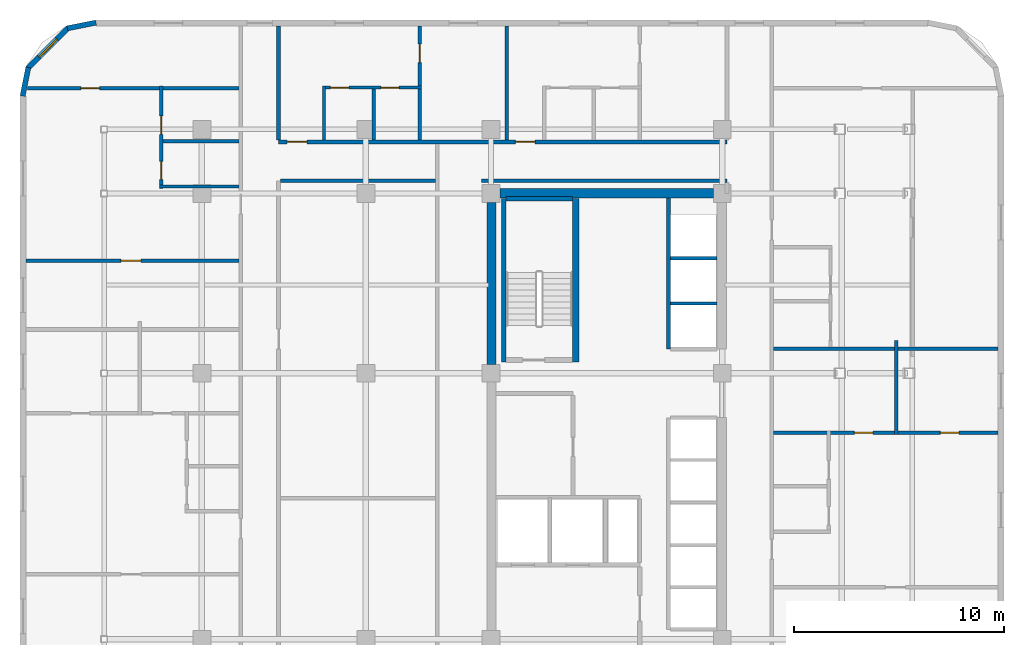
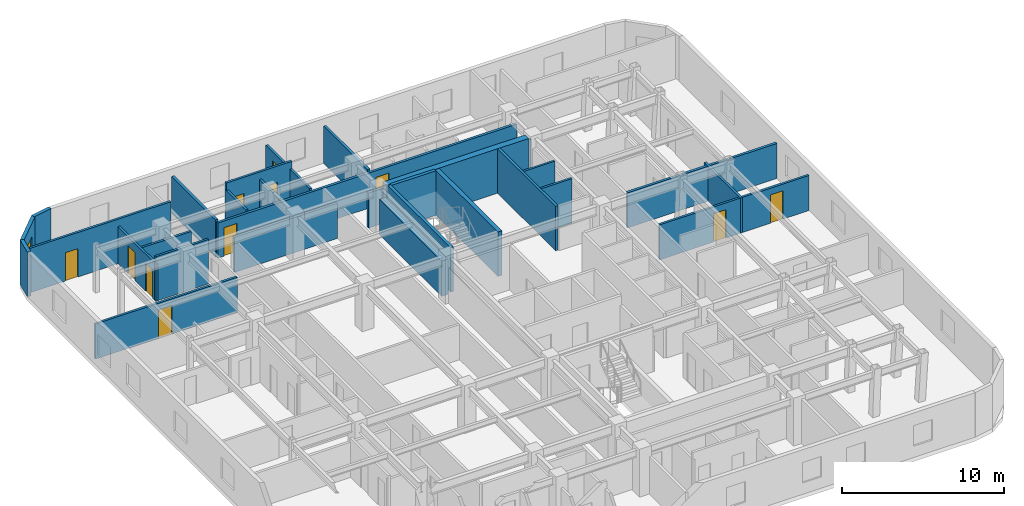
# One storey, part 9 of 12: 28 walls, 11 doors, 1 window, 12 openings.
"""IFC4 building model written with IfcOpenShell, lengths in metres."""

from ifc_helpers import new_model, si_unit, direction, frame, frame_2d, origin, place, context, subcontext, project, spatial, rectangle, extrude, material, layer, layer_set, type_object, element, fill, save


model = new_model("IFC4")

# Units and contexts
model_context = context("Model", 3, precision=1e-05, world=origin(), true_north=direction((0.0, 1.0)))
body_context = subcontext(model_context, "Body", "Model", "MODEL_VIEW")
ifc_project = project(units=[si_unit("LENGTHUNIT", "METRE"), si_unit("AREAUNIT", "SQUARE_METRE"), si_unit("VOLUMEUNIT", "CUBIC_METRE"), si_unit("PLANEANGLEUNIT", "RADIAN"), si_unit("MASSUNIT", "GRAM", prefix="KILO")], contexts=[model_context])

# Site, building, storey
site_placement = place(None, origin())
site = spatial("IfcSite", under=ifc_project, at=site_placement, CompositionType="ELEMENT")
building_placement = place(site_placement, origin())
building = spatial("IfcBuilding", under=site, at=building_placement, Name="Ochreholt Gables", CompositionType="ELEMENT")
storey_placement = place(building_placement, frame((0.0, 0.0, 24.0)))
storey = spatial("IfcBuildingStorey", under=building, at=storey_placement, Name="L05", CompositionType="ELEMENT", Elevation=24.0)

# Walls
ifc_material_1 = material(Name="Concrete 60 MPa", Category="concrete")
ifc_layer_1 = layer(ifc_material_1, 0.449951171875, Name="Concrete 60 MPa")
ifc_layer_set_1 = layer_set([ifc_layer_1], Name="Concrete 60 MPa")
wall_type_1 = type_object("IfcWallType", Name="WALL-CSW-450", PredefinedType="SHEAR", material=ifc_layer_set_1)
wall_1_placement = place(storey_placement, frame((24.22509765625, 30.625, 0.0), z_axis=(0.0, 0.0, 1.0), x_axis=(0.0, 1.0, 0.0)))
element("IfcWall", 1, at=wall_1_placement, inside=storey, type_object=wall_type_1, Name="L05 Core West Shear Wall WN", PredefinedType="SHEAR", context=body_context, shape_type="SweptSolid", body=[
    extrude(rectangle(XDim=7.699951171875, YDim=0.449951171875, at=frame_2d((3.85009765625, 0.0))), origin(), (0.0, 0.0, 1.0), 2.6669921875),
])
wall_2_placement = place(storey_placement, frame((24.625, 38.75, 0.0), z_axis=(0.0, 0.0, 1.0), x_axis=(1.0, 0.0, 0.0)))
element("IfcWall", 2, at=wall_2_placement, inside=storey, type_object=wall_type_1, Name="L05 Core North Shear Wall", PredefinedType="SHEAR", context=body_context, shape_type="SweptSolid", body=[
    extrude(rectangle(XDim=10.14990234375, YDim=0.449951171875, at=frame_2d((5.074951171875, 0.0))), origin(), (0.0, 0.0, 1.0), 3.360107421875),
])
ifc_material_2 = material(Name="Precast concrete 40 MPa", Category="concrete")
ifc_layer_2 = layer(ifc_material_2, 0.25, Name="Precast concrete 40 MPa")
ifc_layer_set_2 = layer_set([ifc_layer_2], Name="Precast concrete 40 MPa")
wall_type_2 = type_object("IfcWallType", Name="WALL-EXT-CNR", PredefinedType="SOLIDWALL", material=ifc_layer_set_2)
wall_3_placement = place(storey_placement, frame((5.41650390625, 46.875732421875, 0.0), z_axis=(0.0, 0.0, 1.0), x_axis=(-0.980809899341, -0.19496651342, 0.0)))
element("IfcWall", 3, at=wall_3_placement, inside=storey, type_object=wall_type_2, Name="L05 Rounded Corner Wall NW-1", PredefinedType="SOLIDWALL", context=body_context, shape_type="SweptSolid", body=[
    extrude(rectangle(XDim=1.388671875, YDim=0.25, at=frame_2d((0.6943359375, 0.0))), origin(), (0.0, 0.0, 1.0), 3.360107421875),
])

# Wall, opening, window
wall_4_placement = place(storey_placement, frame((4.10498046875, 46.632080078125, 0.0), z_axis=(0.0, 0.0, 1.0), x_axis=(-0.707106781187, -0.707106781187, 0.0)))
wall_4 = element("IfcWall", 4, at=wall_4_placement, inside=storey, type_object=wall_type_2, Name="L05 Rounded Corner Wall NW-2", PredefinedType="SOLIDWALL", context=body_context, shape_type="SweptSolid", body=[
    extrude(rectangle(XDim=2.7392578125, YDim=0.25, at=frame_2d((1.36962890625, 0.0))), origin(), (0.0, 0.0, 1.0), 3.360107421875),
])
opening_1_placement = place(wall_4_placement, frame((0.769775390625, 0.0, 0.85009765625)))
opening_1 = element("IfcOpeningElement", 5, at=opening_1_placement, cuts=wall_4, Name="Opening WN-3", PredefinedType="OPENING", context=body_context, shape_type="SweptSolid", body=[
    extrude(rectangle(XDim=1.199951171875, YDim=1.5, at=frame_2d((0.60009765625, 0.75))), frame((0.0, 0.135009765625, 0.0), z_axis=(0.0, -1.0, 0.0), x_axis=(1.0, 0.0, 0.0)), (0.0, 0.0, 1.0), 0.27001953125),
])
ifc_material_3 = material(Name="Triple-Glazed Thermally Broken Aluminium Window", Category="aluminium")
window_type = type_object("IfcWindowType", Name="WIN-RES-1200", PartitioningType="SINGLE_PANEL", PredefinedType="WINDOW", material=ifc_material_3)
window_placement = place(opening_1_placement, origin())
window = element("IfcWindow", 6, at=window_placement, inside=storey, type_object=window_type, Name="L05 Corner Bedroom Window NW", OverallHeight=1.5, OverallWidth=1.199951171875, PartitioningType="SINGLE_PANEL", PredefinedType="WINDOW", context=body_context, shape_type="SweptSolid", body=[
    extrude(rectangle(XDim=1.199951171875, YDim=1.5, at=frame_2d((0.60009765625, 0.75))), frame((0.0, 0.030029296875, 0.0), z_axis=(0.0, -1.0, 0.0), x_axis=(1.0, 0.0, 0.0)), (0.0, 0.0, 1.0), 0.06005859375),
])
fill(opening_1, window)

# Wall
wall_5_placement = place(storey_placement, frame((2.195068359375, 44.74560546875, 0.0), z_axis=(0.0, 0.0, 1.0), x_axis=(-0.19496651342, -0.980809899341, 0.0)))
element("IfcWall", 7, at=wall_5_placement, inside=storey, type_object=wall_type_2, Name="L05 Rounded Corner Wall NW-3", PredefinedType="SOLIDWALL", context=body_context, shape_type="SweptSolid", body=[
    extrude(rectangle(XDim=1.388671875, YDim=0.25, at=frame_2d((0.6943359375, 0.0))), origin(), (0.0, 0.0, 1.0), 3.360107421875),
])

# Wall, openings, doors
ifc_material_4 = material(Name="Fire-Rated Gypsum Acoustic Partition", Category="gypsum")
ifc_layer_3 = layer(ifc_material_4, 0.179931640625, Name="Fire-Rated Gypsum Acoustic Partition")
ifc_layer_set_3 = layer_set([ifc_layer_3], Name="Fire-Rated Gypsum Acoustic Partition")
wall_type_3 = type_object("IfcWallType", Name="WALL-INT-CR180", PredefinedType="STANDARD", material=ifc_layer_set_3)
wall_6_placement = place(storey_placement, frame((14.10009765625, 41.199951171875, 0.0), z_axis=(0.0, 0.0, 1.0), x_axis=(1.0, 0.0, 0.0)))
wall_6 = element("IfcWall", 8, at=wall_6_placement, inside=storey, type_object=wall_type_3, Name="L05 Interior Wall WI-C1N-L05", PredefinedType="STANDARD", context=body_context, shape_type="SweptSolid", body=[
    extrude(rectangle(XDim=21.31982421875, YDim=0.179931640625, at=frame_2d((10.659912109375, 0.0))), origin(), (0.0, 0.0, 1.0), 2.64892578125),
])
opening_2_placement = place(wall_6_placement, frame((0.409912109375, 0.0, 0.0)))
opening_2 = element("IfcOpeningElement", 9, at=opening_2_placement, cuts=wall_6, Name="Opening D-UN2", PredefinedType="OPENING", context=body_context, shape_type="SweptSolid", body=[
    extrude(rectangle(XDim=0.93994140625, YDim=2.14990234375, at=frame_2d((0.469970703125, 1.074951171875))), frame((0.0, 0.099853515625, 0.0), z_axis=(0.0, -1.0, 0.0), x_axis=(1.0, 0.0, 0.0)), (0.0, 0.0, 1.0), 0.199951171875),
])
opening_3_placement = place(wall_6_placement, frame((11.259521484375, 0.0, 0.0)))
opening_3 = element("IfcOpeningElement", 10, at=opening_3_placement, cuts=wall_6, Name="Opening D-UN2", PredefinedType="OPENING", context=body_context, shape_type="SweptSolid", body=[
    extrude(rectangle(XDim=0.93994140625, YDim=2.14990234375, at=frame_2d((0.469970703125, 1.074951171875))), frame((0.0, 0.099853515625, 0.0), z_axis=(0.0, -1.0, 0.0), x_axis=(1.0, 0.0, 0.0)), (0.0, 0.0, 1.0), 0.199951171875),
])
ifc_material_5 = material(Name="Engineered Oak Timber", Category="wood")
door_type_1 = type_object("IfcDoorType", Name="DR-INT-UNT940", OperationType="NOTDEFINED", PredefinedType="DOOR", material=ifc_material_5)
door_1_placement = place(opening_2_placement, origin())
door_1 = element("IfcDoor", 11, at=door_1_placement, inside=storey, type_object=door_type_1, Name="L05 Door D-U-L05N1-ENT", OperationType="SINGLE_SWING_LEFT", OverallHeight=2.14990234375, OverallWidth=0.93994140625, PredefinedType="DOOR", context=body_context, shape_type="SweptSolid", body=[
    extrude(rectangle(XDim=0.93994140625, YDim=2.14990234375, at=frame_2d((0.469970703125, 1.074951171875))), frame((0.0, 0.02490234375, 0.0), z_axis=(0.0, -1.0, 0.0), x_axis=(1.0, 0.0, 0.0)), (0.0, 0.0, 1.0), 0.050048828125),
])
fill(opening_2, door_1)
door_2_placement = place(opening_3_placement, origin())
door_2 = element("IfcDoor", 12, at=door_2_placement, inside=storey, type_object=door_type_1, Name="L05 Door D-U-L05N2-ENT", OperationType="SINGLE_SWING_LEFT", OverallHeight=2.14990234375, OverallWidth=0.93994140625, PredefinedType="DOOR", context=body_context, shape_type="SweptSolid", body=[
    extrude(rectangle(XDim=0.93994140625, YDim=2.14990234375, at=frame_2d((0.469970703125, 1.074951171875))), frame((0.0, 0.02490234375, 0.0), z_axis=(0.0, -1.0, 0.0), x_axis=(1.0, 0.0, 0.0)), (0.0, 0.0, 1.0), 0.050048828125),
])
fill(opening_3, door_2)

# Walls
wall_7_placement = place(storey_placement, frame((23.75, 39.35009765625, 0.0), z_axis=(0.0, 0.0, 1.0), x_axis=(1.0, 0.0, 0.0)))
element("IfcWall", 13, at=wall_7_placement, inside=storey, type_object=wall_type_3, Name="L05 Interior Wall WI-C1N2-L05", PredefinedType="STANDARD", context=body_context, shape_type="SweptSolid", body=[
    extrude(rectangle(XDim=11.669921875, YDim=0.179931640625, at=frame_2d((5.8349609375, 0.0))), origin(), (0.0, 0.0, 1.0), 2.64892578125),
])
wall_8_placement = place(storey_placement, frame((14.18994140625, 39.35009765625, 0.0), z_axis=(0.0, 0.0, 1.0), x_axis=(1.0, 0.0, 0.0)))
element("IfcWall", 14, at=wall_8_placement, inside=storey, type_object=wall_type_3, Name="L05 Interior Wall WI-C1N2W-L05", PredefinedType="STANDARD", context=body_context, shape_type="SweptSolid", body=[
    extrude(rectangle(XDim=7.3701171875, YDim=0.179931640625, at=frame_2d((3.68505859375, 0.0))), origin(), (0.0, 0.0, 1.0), 2.64892578125),
])
ifc_material_6 = material(Name="Double-Stud Acoustic Demising Wall", Category="gypsum")
ifc_layer_4 = layer(ifc_material_6, 0.179931640625, Name="Double-Stud Acoustic Demising Wall")
ifc_layer_set_4 = layer_set([ifc_layer_4], Name="Double-Stud Acoustic Demising Wall")
wall_type_4 = type_object("IfcWallType", Name="WALL-INT-DM180", PredefinedType="PARTITIONING", material=ifc_layer_set_4)
wall_9_placement = place(storey_placement, frame((14.10009765625, 41.2900390625, 0.0), z_axis=(0.0, 0.0, 1.0), x_axis=(0.0, 1.0, 0.0)))
element("IfcWall", 15, at=wall_9_placement, inside=storey, type_object=wall_type_4, Name="L05 Interior Wall WI-C1WNI-L05", PredefinedType="PARTITIONING", context=body_context, shape_type="SweptSolid", body=[
    extrude(rectangle(XDim=5.419921875, YDim=0.179931640625, at=frame_2d((2.7099609375, 0.0))), origin(), (0.0, 0.0, 1.0), 2.80908203125),
])
wall_10_placement = place(storey_placement, frame((37.639892578125, 31.360107421875, 0.0), z_axis=(0.0, 0.0, 1.0), x_axis=(1.0, 0.0, 0.0)))
element("IfcWall", 16, at=wall_10_placement, inside=storey, type_object=wall_type_4, Name="L05 Interior Wall WI-UDE3-L05", PredefinedType="PARTITIONING", context=body_context, shape_type="SweptSolid", body=[
    extrude(rectangle(XDim=10.670166015625, YDim=0.179931640625, at=frame_2d((5.3349609375, 0.0))), origin(), (0.0, 0.0, 1.0), 2.64892578125),
])
wall_11_placement = place(storey_placement, frame((24.94970703125, 41.2900390625, 0.0), z_axis=(0.0, 0.0, 1.0), x_axis=(0.0, 1.0, 0.0)))
element("IfcWall", 17, at=wall_11_placement, inside=storey, type_object=wall_type_4, Name="L05 Interior Wall WI-UDN-L05", PredefinedType="PARTITIONING", context=body_context, shape_type="SweptSolid", body=[
    extrude(rectangle(XDim=5.419921875, YDim=0.179931640625, at=frame_2d((2.7099609375, 0.0))), origin(), (0.0, 0.0, 1.0), 2.80908203125),
])
ifc_material_7 = material(Name="Moisture-Resistant Plumbing Chase Wall", Category="gypsum")
ifc_layer_5 = layer(ifc_material_7, 0.159912109375, Name="Moisture-Resistant Plumbing Chase Wall")
ifc_layer_set_5 = layer_set([ifc_layer_5], Name="Moisture-Resistant Plumbing Chase Wall")
wall_type_5 = type_object("IfcWallType", Name="WALL-INT-PL160", PredefinedType="PLUMBINGWALL", material=ifc_layer_set_5)
wall_12_placement = place(storey_placement, frame((8.429931640625, 39.08154296875, 0.0), z_axis=(0.0, 0.0, 1.0), x_axis=(1.0, 0.0, 0.0)))
element("IfcWall", 18, at=wall_12_placement, inside=storey, type_object=wall_type_5, Name="L05 Interior Wall WU-L05W3-FYS", PredefinedType="PLUMBINGWALL", context=body_context, shape_type="SweptSolid", body=[
    extrude(rectangle(XDim=3.780029296875, YDim=0.159912109375, at=frame_2d((1.89013671875, 0.0))), origin(), (0.0, 0.0, 1.0), 3.360107421875),
])

# Wall, openings, doors
wall_13_placement = place(storey_placement, frame((8.510009765625, 38.991455078125, 0.0), z_axis=(0.0, 0.0, 1.0), x_axis=(0.0, 1.0, 0.0)))
wall_13 = element("IfcWall", 19, at=wall_13_placement, inside=storey, type_object=wall_type_5, Name="L05 Interior Wall WU-L05W3-WX", PredefinedType="PLUMBINGWALL", context=body_context, shape_type="SweptSolid", body=[
    extrude(rectangle(XDim=4.858642578125, YDim=0.159912109375, at=frame_2d((2.42919921875, 0.0))), origin(), (0.0, 0.0, 1.0), 2.80908203125),
])
opening_4_placement = place(wall_13_placement, frame((0.419921875, 0.0, 0.0)))
opening_4 = element("IfcOpeningElement", 20, at=opening_4_placement, cuts=wall_13, Name="Opening D-BT1", PredefinedType="OPENING", context=body_context, shape_type="SweptSolid", body=[
    extrude(rectangle(XDim=0.860107421875, YDim=2.1201171875, at=frame_2d((0.43017578125, 1.06005859375))), frame((0.0, 0.08984375, 0.0), z_axis=(0.0, -1.0, 0.0), x_axis=(1.0, 0.0, 0.0)), (0.0, 0.0, 1.0), 0.179931640625),
])
opening_5_placement = place(wall_13_placement, frame((2.572021484375, 0.0, 0.0)))
opening_5 = element("IfcOpeningElement", 21, at=opening_5_placement, cuts=wall_13, Name="Opening D-GN2", PredefinedType="OPENING", context=body_context, shape_type="SweptSolid", body=[
    extrude(rectangle(XDim=0.8798828125, YDim=2.1201171875, at=frame_2d((0.43994140625, 1.06005859375))), frame((0.0, 0.08984375, 0.0), z_axis=(0.0, -1.0, 0.0), x_axis=(1.0, 0.0, 0.0)), (0.0, 0.0, 1.0), 0.179931640625),
])
door_type_2 = type_object("IfcDoorType", Name="DR-INT-BTH860", OperationType="NOTDEFINED", PredefinedType="DOOR", material=ifc_material_5)
door_3_placement = place(opening_4_placement, origin())
door_3 = element("IfcDoor", 22, at=door_3_placement, inside=storey, type_object=door_type_2, Name="L05 Door D-U-L05W3-BTH", OperationType="SINGLE_SWING_RIGHT", OverallHeight=2.1201171875, OverallWidth=0.860107421875, PredefinedType="DOOR", context=body_context, shape_type="SweptSolid", body=[
    extrude(rectangle(XDim=0.860107421875, YDim=2.1201171875, at=frame_2d((0.43017578125, 1.06005859375))), frame((0.0, 0.02490234375, 0.0), z_axis=(0.0, -1.0, 0.0), x_axis=(1.0, 0.0, 0.0)), (0.0, 0.0, 1.0), 0.050048828125),
])
fill(opening_4, door_3)
door_type_3 = type_object("IfcDoorType", Name="DR-INT-GEN880", OperationType="NOTDEFINED", PredefinedType="DOOR", material=ifc_material_5)
door_4_placement = place(opening_5_placement, origin())
door_4 = element("IfcDoor", 23, at=door_4_placement, inside=storey, type_object=door_type_3, Name="L05 Door D-U-L05W3-KIT", OperationType="SINGLE_SWING_LEFT", OverallHeight=2.1201171875, OverallWidth=0.8798828125, PredefinedType="DOOR", context=body_context, shape_type="SweptSolid", body=[
    extrude(rectangle(XDim=0.8798828125, YDim=2.1201171875, at=frame_2d((0.43994140625, 1.06005859375))), frame((0.0, 0.02490234375, 0.0), z_axis=(0.0, -1.0, 0.0), x_axis=(1.0, 0.0, 0.0)), (0.0, 0.0, 1.0), 0.050048828125),
])
fill(opening_5, door_4)

# Wall
wall_14_placement = place(storey_placement, frame((8.590087890625, 41.233642578125, 0.0), z_axis=(0.0, 0.0, 1.0), x_axis=(1.0, 0.0, 0.0)))
element("IfcWall", 24, at=wall_14_placement, inside=storey, type_object=wall_type_5, Name="L05 Interior Wall WU-L05W3-WK", PredefinedType="PLUMBINGWALL", context=body_context, shape_type="SweptSolid", body=[
    extrude(rectangle(XDim=3.619873046875, YDim=0.159912109375, at=frame_2d((1.81005859375, 0.0))), origin(), (0.0, 0.0, 1.0), 2.64892578125),
])

# Wall, openings, doors
wall_15_placement = place(storey_placement, frame((16.1796875, 43.78759765625, 0.0), z_axis=(0.0, 0.0, 1.0), x_axis=(1.0, 0.0, 0.0)))
wall_15 = element("IfcWall", 25, at=wall_15_placement, inside=storey, type_object=wall_type_5, Name="L05 Interior Wall WU-L05N1-WY", PredefinedType="PLUMBINGWALL", context=body_context, shape_type="SweptSolid", body=[
    extrude(rectangle(XDim=4.7099609375, YDim=0.159912109375, at=frame_2d((2.35498046875, 0.0))), origin(), (0.0, 0.0, 1.0), 3.360107421875),
])
opening_6_placement = place(wall_15_placement, frame((0.3798828125, 0.0, 0.0)))
opening_6 = element("IfcOpeningElement", 26, at=opening_6_placement, cuts=wall_15, Name="Opening D-GN2", PredefinedType="OPENING", context=body_context, shape_type="SweptSolid", body=[
    extrude(rectangle(XDim=0.8798828125, YDim=2.1201171875, at=frame_2d((0.43994140625, 1.06005859375))), frame((0.0, 0.08984375, 0.0), z_axis=(0.0, -1.0, 0.0), x_axis=(1.0, 0.0, 0.0)), (0.0, 0.0, 1.0), 0.179931640625),
])
opening_7_placement = place(wall_15_placement, frame((2.785888671875, 0.0, 0.0)))
opening_7 = element("IfcOpeningElement", 27, at=opening_7_placement, cuts=wall_15, Name="Opening D-BT1", PredefinedType="OPENING", context=body_context, shape_type="SweptSolid", body=[
    extrude(rectangle(XDim=0.860107421875, YDim=2.1201171875, at=frame_2d((0.43017578125, 1.06005859375))), frame((0.0, 0.08984375, 0.0), z_axis=(0.0, -1.0, 0.0), x_axis=(1.0, 0.0, 0.0)), (0.0, 0.0, 1.0), 0.179931640625),
])
door_5_placement = place(opening_7_placement, origin())
door_5 = element("IfcDoor", 28, at=door_5_placement, inside=storey, type_object=door_type_2, Name="L05 Door D-U-L05N1-BTH", OperationType="SINGLE_SWING_LEFT", OverallHeight=2.1201171875, OverallWidth=0.860107421875, PredefinedType="DOOR", context=body_context, shape_type="SweptSolid", body=[
    extrude(rectangle(XDim=0.860107421875, YDim=2.1201171875, at=frame_2d((0.43017578125, 1.06005859375))), frame((0.0, 0.02490234375, 0.0), z_axis=(0.0, -1.0, 0.0), x_axis=(1.0, 0.0, 0.0)), (0.0, 0.0, 1.0), 0.050048828125),
])
fill(opening_7, door_5)
door_6_placement = place(opening_6_placement, origin())
door_6 = element("IfcDoor", 29, at=door_6_placement, inside=storey, type_object=door_type_3, Name="L05 Door D-U-L05N1-KIT", OperationType="SINGLE_SWING_RIGHT", OverallHeight=2.1201171875, OverallWidth=0.8798828125, PredefinedType="DOOR", context=body_context, shape_type="SweptSolid", body=[
    extrude(rectangle(XDim=0.8798828125, YDim=2.1201171875, at=frame_2d((0.43994140625, 1.06005859375))), frame((0.0, 0.02490234375, 0.0), z_axis=(0.0, -1.0, 0.0), x_axis=(1.0, 0.0, 0.0)), (0.0, 0.0, 1.0), 0.050048828125),
])
fill(opening_6, door_6)

# Walls
wall_16_placement = place(storey_placement, frame((16.259521484375, 41.2900390625, 0.0), z_axis=(0.0, 0.0, 1.0), x_axis=(0.0, 1.0, 0.0)))
element("IfcWall", 30, at=wall_16_placement, inside=storey, type_object=wall_type_5, Name="L05 Interior Wall WU-L05N1-FY", PredefinedType="PLUMBINGWALL", context=body_context, shape_type="SweptSolid", body=[
    extrude(rectangle(XDim=2.577392578125, YDim=0.159912109375, at=frame_2d((1.28857421875, 0.0))), origin(), (0.0, 0.0, 1.0), 2.80908203125),
])
wall_17_placement = place(storey_placement, frame((18.62548828125, 41.2900390625, 0.0), z_axis=(0.0, 0.0, 1.0), x_axis=(0.0, 1.0, 0.0)))
element("IfcWall", 31, at=wall_17_placement, inside=storey, type_object=wall_type_5, Name="L05 Interior Wall WU-L05N1-WK", PredefinedType="PLUMBINGWALL", context=body_context, shape_type="SweptSolid", body=[
    extrude(rectangle(XDim=2.41748046875, YDim=0.159912109375, at=frame_2d((1.208740234375, 0.0))), origin(), (0.0, 0.0, 1.0), 2.80908203125),
])

# Wall, openings, doors
ifc_material_8 = material(Name="Gypsum Acoustic Stud Partition", Category="gypsum")
ifc_layer_6 = layer(ifc_material_8, 0.159912109375, Name="Gypsum Acoustic Stud Partition")
ifc_layer_set_6 = layer_set([ifc_layer_6], Name="Gypsum Acoustic Stud Partition")
wall_type_6 = type_object("IfcWallType", Name="WALL-INT-PT160", PredefinedType="PARTITIONING", material=ifc_layer_set_6)
wall_18_placement = place(storey_placement, frame((37.639892578125, 27.3701171875, 0.0), z_axis=(0.0, 0.0, 1.0), x_axis=(1.0, 0.0, 0.0)))
wall_18 = element("IfcWall", 32, at=wall_18_placement, inside=storey, type_object=wall_type_6, Name="L05 Interior Wall WU-L05E2-MN", PredefinedType="PARTITIONING", context=body_context, shape_type="SweptSolid", body=[
    extrude(rectangle(XDim=10.670166015625, YDim=0.159912109375, at=frame_2d((5.3349609375, 0.0))), origin(), (0.0, 0.0, 1.0), 2.64892578125),
])
opening_8_placement = place(wall_18_placement, frame((3.839599609375, 0.0, 0.0)))
opening_8 = element("IfcOpeningElement", 33, at=opening_8_placement, cuts=wall_18, Name="Opening D-BD2", PredefinedType="OPENING", context=body_context, shape_type="SweptSolid", body=[
    extrude(rectangle(XDim=0.8798828125, YDim=2.139892578125, at=frame_2d((0.43994140625, 1.06982421875))), frame((0.0, 0.08984375, 0.0), z_axis=(0.0, -1.0, 0.0), x_axis=(1.0, 0.0, 0.0)), (0.0, 0.0, 1.0), 0.179931640625),
])
opening_9_placement = place(wall_18_placement, frame((7.9287109375, 0.0, 0.0)))
opening_9 = element("IfcOpeningElement", 34, at=opening_9_placement, cuts=wall_18, Name="Opening D-BD2", PredefinedType="OPENING", context=body_context, shape_type="SweptSolid", body=[
    extrude(rectangle(XDim=0.8798828125, YDim=2.139892578125, at=frame_2d((0.43994140625, 1.06982421875))), frame((0.0, 0.08984375, 0.0), z_axis=(0.0, -1.0, 0.0), x_axis=(1.0, 0.0, 0.0)), (0.0, 0.0, 1.0), 0.179931640625),
])
door_type_4 = type_object("IfcDoorType", Name="DR-INT-BED880", OperationType="NOTDEFINED", PredefinedType="DOOR", material=ifc_material_5)
door_7_placement = place(opening_8_placement, origin())
door_7 = element("IfcDoor", 35, at=door_7_placement, inside=storey, type_object=door_type_4, Name="L05 Door D-U-L05E2-BD1", OperationType="SINGLE_SWING_LEFT", OverallHeight=2.139892578125, OverallWidth=0.8798828125, PredefinedType="DOOR", context=body_context, shape_type="SweptSolid", body=[
    extrude(rectangle(XDim=0.8798828125, YDim=2.139892578125, at=frame_2d((0.43994140625, 1.06982421875))), frame((0.0, 0.02490234375, 0.0), z_axis=(0.0, -1.0, 0.0), x_axis=(1.0, 0.0, 0.0)), (0.0, 0.0, 1.0), 0.050048828125),
])
fill(opening_8, door_7)
door_8_placement = place(opening_9_placement, origin())
door_8 = element("IfcDoor", 36, at=door_8_placement, inside=storey, type_object=door_type_4, Name="L05 Door D-U-L05E2-BD2", OperationType="SINGLE_SWING_RIGHT", OverallHeight=2.139892578125, OverallWidth=0.8798828125, PredefinedType="DOOR", context=body_context, shape_type="SweptSolid", body=[
    extrude(rectangle(XDim=0.8798828125, YDim=2.139892578125, at=frame_2d((0.43994140625, 1.06982421875))), frame((0.0, 0.02490234375, 0.0), z_axis=(0.0, -1.0, 0.0), x_axis=(1.0, 0.0, 0.0)), (0.0, 0.0, 1.0), 0.050048828125),
])
fill(opening_9, door_8)

# Wall
wall_19_placement = place(storey_placement, frame((43.477294921875, 27.2900390625, 0.0), z_axis=(0.0, 0.0, 1.0), x_axis=(0.0, 1.0, 0.0)))
element("IfcWall", 37, at=wall_19_placement, inside=storey, type_object=wall_type_6, Name="L05 Interior Wall WU-L05E2-BSD", PredefinedType="PARTITIONING", context=body_context, shape_type="SweptSolid", body=[
    extrude(rectangle(XDim=4.4599609375, YDim=0.159912109375, at=frame_2d((2.22998046875, 0.0))), origin(), (0.0, 0.0, 1.0), 2.64892578125),
])

# Wall, opening, door
wall_20_placement = place(storey_placement, frame((2.162109375, 43.760009765625, 0.0), z_axis=(0.0, 0.0, 1.0), x_axis=(1.0, 0.0, 0.0)))
wall_20 = element("IfcWall", 38, at=wall_20_placement, inside=storey, type_object=wall_type_6, Name="L05 Interior Wall WU-L05W3-MN", PredefinedType="PARTITIONING", context=body_context, shape_type="SweptSolid", body=[
    extrude(rectangle(XDim=10.0478515625, YDim=0.159912109375, at=frame_2d((5.02392578125, 0.0))), origin(), (0.0, 0.0, 1.0), 3.360107421875),
])
opening_10_placement = place(wall_20_placement, frame((2.52783203125, 0.0, 0.0)))
opening_10 = element("IfcOpeningElement", 39, at=opening_10_placement, cuts=wall_20, Name="Opening D-BD1", PredefinedType="OPENING", context=body_context, shape_type="SweptSolid", body=[
    extrude(rectangle(XDim=0.89990234375, YDim=2.139892578125, at=frame_2d((0.449951171875, 1.06982421875))), frame((0.0, 0.08984375, 0.0), z_axis=(0.0, -1.0, 0.0), x_axis=(1.0, 0.0, 0.0)), (0.0, 0.0, 1.0), 0.179931640625),
])
door_type_5 = type_object("IfcDoorType", Name="DR-INT-BED900", OperationType="NOTDEFINED", PredefinedType="DOOR", material=ifc_material_5)
door_9_placement = place(opening_10_placement, origin())
door_9 = element("IfcDoor", 40, at=door_9_placement, inside=storey, type_object=door_type_5, Name="L05 Door D-U-L05W3-BD1", OperationType="SINGLE_SWING_RIGHT", OverallHeight=2.139892578125, OverallWidth=0.89990234375, PredefinedType="DOOR", context=body_context, shape_type="SweptSolid", body=[
    extrude(rectangle(XDim=0.89990234375, YDim=2.139892578125, at=frame_2d((0.449951171875, 1.06982421875))), frame((0.0, 0.02490234375, 0.0), z_axis=(0.0, -1.0, 0.0), x_axis=(1.0, 0.0, 0.0)), (0.0, 0.0, 1.0), 0.050048828125),
])
fill(opening_10, door_9)

wall_21_placement = place(storey_placement, frame((2.090087890625, 35.550048828125, 0.0), z_axis=(0.0, 0.0, 1.0), x_axis=(1.0, 0.0, 0.0)))
wall_21 = element("IfcWall", 41, at=wall_21_placement, inside=storey, type_object=wall_type_6, Name="L05 Interior Wall WU-L05W3-DNW", PredefinedType="PARTITIONING", context=body_context, shape_type="SweptSolid", body=[
    extrude(rectangle(XDim=10.119873046875, YDim=0.159912109375, at=frame_2d((5.06005859375, 0.0))), origin(), (0.0, 0.0, 1.0), 2.64892578125),
])
opening_11_placement = place(wall_21_placement, frame((4.510009765625, 0.0, 0.0)))
opening_11 = element("IfcOpeningElement", 42, at=opening_11_placement, cuts=wall_21, Name="Opening D-GN1", PredefinedType="OPENING", context=body_context, shape_type="SweptSolid", body=[
    extrude(rectangle(XDim=0.949951171875, YDim=2.14990234375, at=frame_2d((0.47509765625, 1.074951171875))), frame((0.0, 0.08984375, 0.0), z_axis=(0.0, -1.0, 0.0), x_axis=(1.0, 0.0, 0.0)), (0.0, 0.0, 1.0), 0.179931640625),
])
door_type_6 = type_object("IfcDoorType", Name="DR-INT-GEN950", OperationType="NOTDEFINED", PredefinedType="DOOR", material=ifc_material_5)
door_10_placement = place(opening_11_placement, origin())
door_10 = element("IfcDoor", 43, at=door_10_placement, inside=storey, type_object=door_type_6, Name="L05 Door D-U-L05W3-DIN", OperationType="SINGLE_SWING_RIGHT", OverallHeight=2.14990234375, OverallWidth=0.949951171875, PredefinedType="DOOR", context=body_context, shape_type="SweptSolid", body=[
    extrude(rectangle(XDim=0.949951171875, YDim=2.14990234375, at=frame_2d((0.47509765625, 1.074951171875))), frame((0.0, 0.02490234375, 0.0), z_axis=(0.0, -1.0, 0.0), x_axis=(1.0, 0.0, 0.0)), (0.0, 0.0, 1.0), 0.050048828125),
])
fill(opening_11, door_10)

wall_22_placement = place(storey_placement, frame((20.8095703125, 41.2900390625, 0.0), z_axis=(0.0, 0.0, 1.0), x_axis=(0.0, 1.0, 0.0)))
wall_22 = element("IfcWall", 44, at=wall_22_placement, inside=storey, type_object=wall_type_6, Name="L05 Interior Wall WU-L05N1-MNX", PredefinedType="PARTITIONING", context=body_context, shape_type="SweptSolid", body=[
    extrude(rectangle(XDim=5.419921875, YDim=0.159912109375, at=frame_2d((2.7099609375, 0.0))), origin(), (0.0, 0.0, 1.0), 2.80908203125),
])
opening_12_placement = place(wall_22_placement, frame((3.6787109375, 0.0, 0.0)))
opening_12 = element("IfcOpeningElement", 45, at=opening_12_placement, cuts=wall_22, Name="Opening D-BD2", PredefinedType="OPENING", context=body_context, shape_type="SweptSolid", body=[
    extrude(rectangle(XDim=0.8798828125, YDim=2.139892578125, at=frame_2d((0.43994140625, 1.06982421875))), frame((0.0, 0.08984375, 0.0), z_axis=(0.0, -1.0, 0.0), x_axis=(1.0, 0.0, 0.0)), (0.0, 0.0, 1.0), 0.179931640625),
])
door_11_placement = place(opening_12_placement, origin())
door_11 = element("IfcDoor", 46, at=door_11_placement, inside=storey, type_object=door_type_4, Name="L05 Door D-U-L05N1-BD1", OperationType="SINGLE_SWING_RIGHT", OverallHeight=2.139892578125, OverallWidth=0.8798828125, PredefinedType="DOOR", context=body_context, shape_type="SweptSolid", body=[
    extrude(rectangle(XDim=0.8798828125, YDim=2.139892578125, at=frame_2d((0.43994140625, 1.06982421875))), frame((0.0, 0.02490234375, 0.0), z_axis=(0.0, -1.0, 0.0), x_axis=(1.0, 0.0, 0.0)), (0.0, 0.0, 1.0), 0.050048828125),
])
fill(opening_12, door_11)

# Walls
ifc_material_9 = material(Name="Gypsum Shaftliner and Steel Stud", Category="steel")
ifc_layer_7 = layer(ifc_material_9, 0.14990234375, Name="Gypsum Shaftliner and Steel Stud")
ifc_layer_set_7 = layer_set([ifc_layer_7], Name="Gypsum Shaftliner and Steel Stud")
wall_type_7 = type_object("IfcWallType", Name="WALL-INT-SH150", PredefinedType="STANDARD", material=ifc_layer_set_7)
for number, where, z_axis, x_axis, name in (
    (47, (32.739990234375, 33.52001953125, 0.0), (0.0, 0.0, 1.0), (1.0, 0.0, 0.0), "L05 Interior Wall WI-LFM-D1-L05"),
    (48, (32.739990234375, 35.669921875, 0.0), (0.0, 0.0, 1.0), (1.0, 0.0, 0.0), "L05 Interior Wall WI-LFM-D2-L05"),
):
    element("IfcWall", number, at=place(storey_placement, frame(where, z_axis=z_axis, x_axis=x_axis)), inside=storey, type_object=wall_type_7, Name=name, PredefinedType="STANDARD", context=body_context, shape_type="SweptSolid", body=[
        extrude(rectangle(XDim=2.2099609375, YDim=0.14990234375, at=frame_2d((1.10498046875, 0.0))), origin(), (0.0, 0.0, 1.0), 3.360107421875),
    ])
ifc_layer_8 = layer(ifc_material_9, 0.179931640625, Name="Gypsum Shaftliner and Steel Stud")
ifc_layer_set_8 = layer_set([ifc_layer_8], Name="Gypsum Shaftliner and Steel Stud")
wall_type_8 = type_object("IfcWallType", Name="WALL-INT-SH180", PredefinedType="STANDARD", material=ifc_layer_set_8)
wall_23_placement = place(storey_placement, frame((32.64990234375, 31.35009765625, 0.0), z_axis=(0.0, 0.0, 1.0), x_axis=(0.0, 1.0, 0.0)))
element("IfcWall", 49, at=wall_23_placement, inside=storey, type_object=wall_type_8, Name="L05 Interior Wall WI-LFM-FR-L05", PredefinedType="STANDARD", context=body_context, shape_type="SweptSolid", body=[
    extrude(rectangle(XDim=7.1748046875, YDim=0.179931640625, at=frame_2d((3.58740234375, 0.0))), origin(), (0.0, 0.0, 1.0), 3.360107421875),
])
ifc_layer_9 = layer(ifc_material_1, 0.300048828125, Name="Concrete 60 MPa")
ifc_layer_set_9 = layer_set([ifc_layer_9], Name="Concrete 60 MPa")
wall_type_9 = type_object("IfcWallType", Name="WALL-SPN-300", PredefinedType="SHEAR", material=ifc_layer_set_9)
wall_24_placement = place(storey_placement, frame((28.22998046875, 30.739990234375, 0.0), z_axis=(0.0, 0.0, 1.0), x_axis=(0.0, 1.0, 0.0)))
element("IfcWall", 50, at=wall_24_placement, inside=storey, type_object=wall_type_9, Name="L05 Core North Spine Shear Wall", PredefinedType="SHEAR", context=body_context, shape_type="SweptSolid", body=[
    extrude(rectangle(XDim=7.760009765625, YDim=0.300048828125, at=frame_2d((3.8798828125, 0.0))), origin(), (0.0, 0.0, 1.0), 3.360107421875),
])
ifc_material_10 = material(Name="Concrete 50 MPa", Category="concrete")
ifc_layer_10 = layer(ifc_material_10, 0.219970703125, Name="Concrete 50 MPa")
ifc_layer_set_10 = layer_set([ifc_layer_10], Name="Concrete 50 MPa")
wall_type_10 = type_object("IfcWallType", Name="WALL-STW-220", PredefinedType="SHEAR", material=ifc_layer_set_10)
wall_25_placement = place(storey_placement, frame((24.81005859375, 30.739990234375, 0.0), z_axis=(0.0, 0.0, 1.0), x_axis=(0.0, 1.0, 0.0)))
element("IfcWall", 51, at=wall_25_placement, inside=storey, type_object=wall_type_10, Name="L05 Exit Stair 2 West Wall", PredefinedType="SHEAR", context=body_context, shape_type="SweptSolid", body=[
    extrude(rectangle(XDim=7.760009765625, YDim=0.219970703125, at=frame_2d((3.8798828125, 0.0))), origin(), (0.0, 0.0, 1.0), 3.360107421875),
])
wall_26_placement = place(storey_placement, frame((24.919921875, 38.489990234375, 0.0), z_axis=(0.0, 0.0, 1.0), x_axis=(1.0, 0.0, 0.0)))
element("IfcWall", 52, at=wall_26_placement, inside=storey, type_object=wall_type_10, Name="L05 Exit Stair 2 North Wall", PredefinedType="SHEAR", context=body_context, shape_type="SweptSolid", body=[
    extrude(rectangle(XDim=3.16015625, YDim=0.219970703125, at=frame_2d((1.580078125, 0.0))), origin(), (0.0, 0.0, 1.0), 3.360107421875),
])

save(model, "model.ifc")
